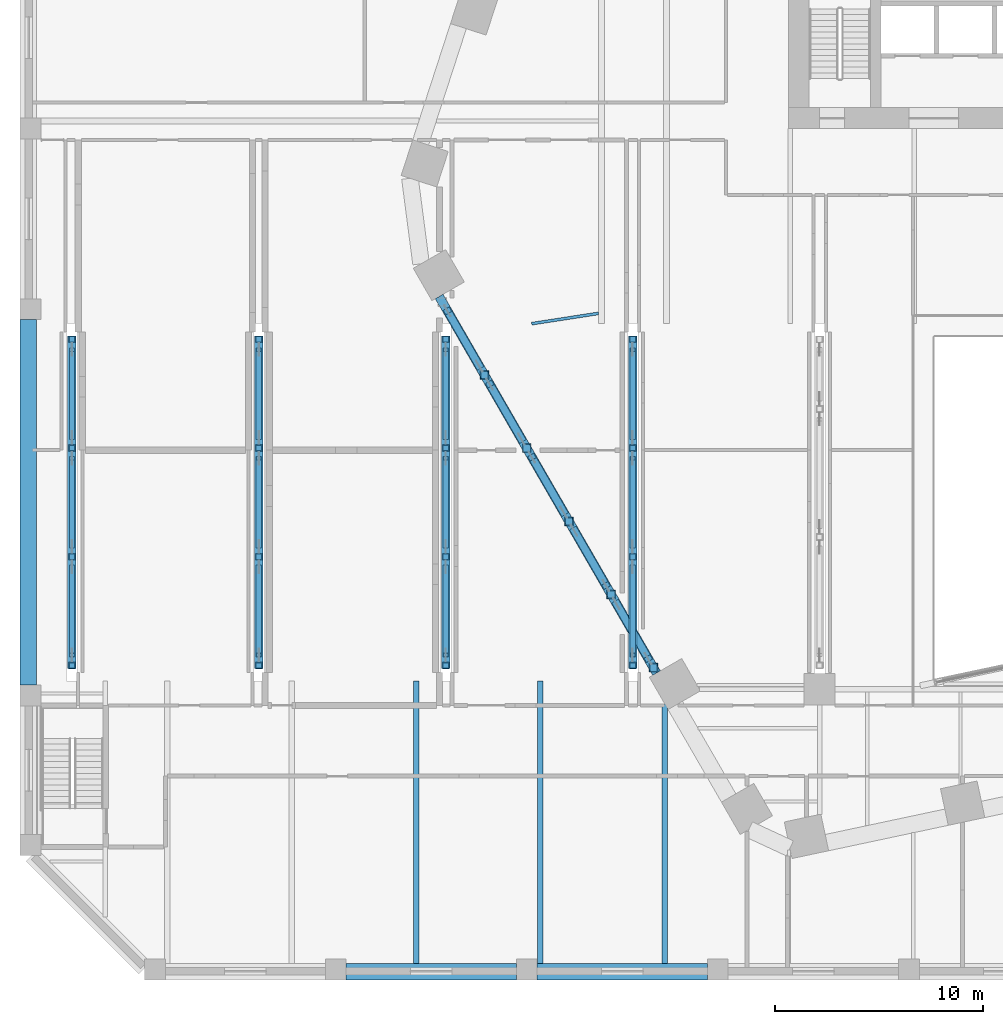
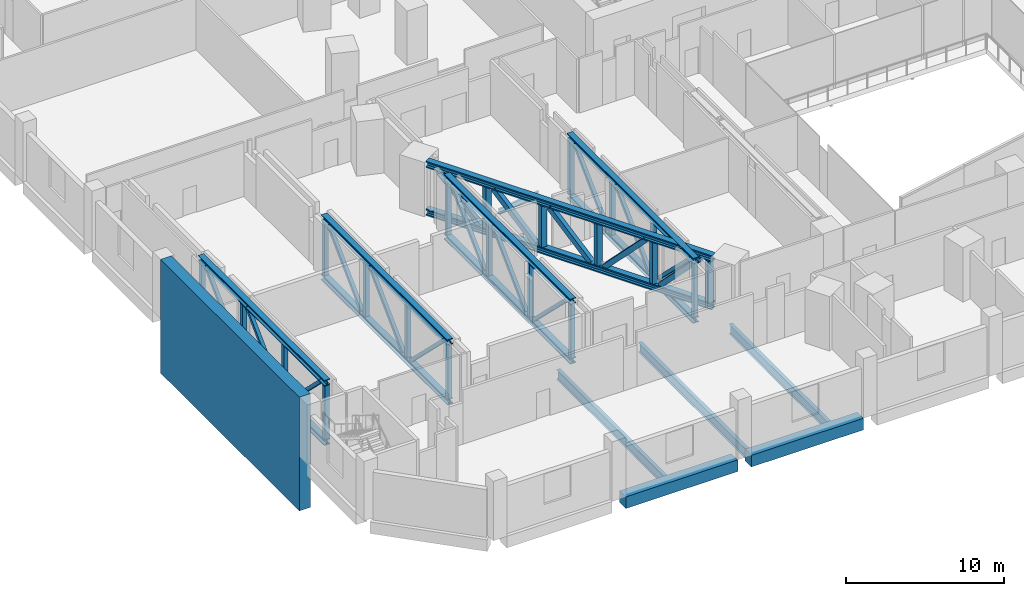
# One storey, part 2 of 32: 48 members, 7 beams.
"""IFC4 building model written with IfcOpenShell, lengths in metres."""

from ifc_helpers import new_model, si_unit, direction, frame, origin, origin_2d, place, context, subcontext, project, spatial, rectangle, hollow_rectangle, i_section, extrude, material, material_profile, profile_set, type_object, element, save


model = new_model("IFC4")

# Units and contexts
model_context = context("Model", 3, precision=1e-05, world=origin(), true_north=direction((0.0, 1.0)))
body_context = subcontext(model_context, "Body", "Model", "MODEL_VIEW")
ifc_project = project(units=[si_unit("LENGTHUNIT", "METRE"), si_unit("AREAUNIT", "SQUARE_METRE"), si_unit("VOLUMEUNIT", "CUBIC_METRE"), si_unit("PLANEANGLEUNIT", "RADIAN"), si_unit("MASSUNIT", "GRAM", prefix="KILO")], contexts=[model_context])

# Site, building, storey
site_placement = place(None, origin())
site = spatial("IfcSite", under=ifc_project, at=site_placement, CompositionType="ELEMENT")
building_placement = place(site_placement, origin())
building = spatial("IfcBuilding", under=site, at=building_placement, Name="Isthmus Gate Tower", CompositionType="ELEMENT")
storey_placement = place(building_placement, frame((0.0, 0.0, 18.0)))
storey = spatial("IfcBuildingStorey", under=building, at=storey_placement, Name="L02", CompositionType="ELEMENT", Elevation=18.0)

# Beams
ifc_material_1 = material(Name="Concrete f'c 70 MPa", Category="concrete")
ifc_material_profile_1 = material_profile(ifc_material_1, rectangle(XDim=0.800048828125, YDim=0.89990234375, at=origin_2d()), Name="RC 800X900")
ifc_profile_set_1 = profile_set([ifc_material_profile_1], Name="Concrete f'c 70 MPa")
beam_type_1 = type_object("IfcBeamType", Name="RC EDGE BEAM 800 X 900", PredefinedType="BEAM", material=ifc_profile_set_1)
beam_1_placement = place(storey_placement, frame((-18.89990234375, -40.60009765625, -0.85009765625), z_axis=(-1.0, 0.0, 0.0), x_axis=(0.0, -1.0, 0.0)))
element("IfcBeam", 1, at=beam_1_placement, inside=storey, type_object=beam_type_1, Name="str-edgebeam-L02-35", PredefinedType="BEAM", context=body_context, shape_type="SweptSolid", body=[
    extrude(rectangle(XDim=0.800048828125, YDim=0.89990234375, at=origin_2d()), origin(), (0.0, 0.0, 1.0), 8.2001953125),
])
beam_2_placement = place(storey_placement, frame((-28.10009765625, -40.60009765625, -0.85009765625), z_axis=(-1.0, 0.0, 0.0), x_axis=(0.0, -1.0, 0.0)))
element("IfcBeam", 2, at=beam_2_placement, inside=storey, type_object=beam_type_1, Name="str-edgebeam-L02-36", PredefinedType="BEAM", context=body_context, shape_type="SweptSolid", body=[
    extrude(rectangle(XDim=0.800048828125, YDim=0.89990234375, at=origin_2d()), origin(), (0.0, 0.0, 1.0), 8.199951171875),
])
ifc_material_2 = material(Name="Concrete f'c 70 MPa", Category="concrete")
ifc_material_profile_2 = material_profile(ifc_material_2, rectangle(XDim=0.800048828125, YDim=8.800048828125, at=origin_2d()), Name="RC 800X8800")
ifc_profile_set_2 = profile_set([ifc_material_profile_2], Name="Concrete f'c 70 MPa")
beam_type_2 = type_object("IfcBeamType", Name="RC PORTAL LINTEL 800 X 8800", PredefinedType="LINTEL", material=ifc_profile_set_2)
beam_3_placement = place(storey_placement, frame((-51.60009765625, -26.800048828125, -0.199951171875), z_axis=(0.0, 1.0, 0.0), x_axis=(-1.0, 0.0, 0.0)))
element("IfcBeam", 3, at=beam_3_placement, inside=storey, type_object=beam_type_2, Name="str-lintel-L02-02", PredefinedType="LINTEL", context=body_context, shape_type="SweptSolid", body=[
    extrude(rectangle(XDim=0.800048828125, YDim=8.800048828125, at=origin_2d()), origin(), (0.0, 0.0, 1.0), 17.60009765625),
])
ifc_material_3 = material(Name="Structural steel ASTM A992 Gr 50", Category="steel")
ifc_material_profile_3 = material_profile(ifc_material_3, i_section(OverallWidth=0.1396484375, OverallDepth=0.4033203125, WebThickness=0.00634765625, FlangeThickness=0.010986328125, at=origin_2d()), Name="W16X31")
ifc_profile_set_3 = profile_set([ifc_material_profile_3], Name="Structural steel ASTM A992 Gr 50")
beam_type_3 = type_object("IfcBeamType", Name="STEEL FLOOR BEAM W16X31", PredefinedType="JOIST", material=ifc_profile_set_3)
beam_4_placement = place(storey_placement, frame((-24.14599609375, -8.903076171875, -0.6015625), z_axis=(-0.98828570762, -0.152615071711, 0.0), x_axis=(0.152615071711, -0.98828570762, 0.0)))
element("IfcBeam", 4, at=beam_4_placement, inside=storey, type_object=beam_type_3, Name="str-beam-L02-18-35", PredefinedType="JOIST", context=body_context, shape_type="SweptSolid", body=[
    extrude(i_section(OverallWidth=0.1396484375, OverallDepth=0.4033203125, WebThickness=0.00634765625, FlangeThickness=0.010986328125, at=origin_2d()), origin(), (0.0, 0.0, 1.0), 3.25537109375),
])
ifc_material_4 = material(Name="Structural steel ASTM A992 Gr 50", Category="steel")
ifc_material_profile_4 = material_profile(ifc_material_4, i_section(OverallWidth=0.263427734375, OverallDepth=0.749267578125, WebThickness=0.0126953125, FlangeThickness=0.015869140625, at=origin_2d()), Name="W30X90")
ifc_profile_set_4 = profile_set([ifc_material_profile_4], Name="Structural steel ASTM A992 Gr 50")
beam_type_4 = type_object("IfcBeamType", Name="STEEL FLOOR BEAM W30X90", PredefinedType="JOIST", material=ifc_profile_set_4)
for number, where, z_axis, x_axis, name in (
    (5, (-32.927978515625, -40.199951171875, -0.774658203125), (0.0, 1.0, 0.0), (-1.0, 0.0, 0.0), "str-beam-L02-19-02"),
    (6, (-26.941162109375, -40.199951171875, -0.774658203125), (0.0, 1.0, 0.0), (-1.0, 0.0, 0.0), "str-beam-L02-19-03"),
):
    element("IfcBeam", number, at=place(storey_placement, frame(where, z_axis=z_axis, x_axis=x_axis)), inside=storey, type_object=beam_type_4, Name=name, PredefinedType="JOIST", context=body_context, shape_type="SweptSolid", body=[
        extrude(i_section(OverallWidth=0.263427734375, OverallDepth=0.749267578125, WebThickness=0.0126953125, FlangeThickness=0.015869140625, at=origin_2d()), origin(), (0.0, 0.0, 1.0), 13.599853515625),
    ])
beam_5_placement = place(storey_placement, frame((-20.9541015625, -40.199951171875, -0.774658203125), z_axis=(0.0, 1.0, 0.0), x_axis=(-1.0, 0.0, 0.0)))
element("IfcBeam", 7, at=beam_5_placement, inside=storey, type_object=beam_type_4, Name="str-beam-L02-19-04", PredefinedType="JOIST", context=body_context, shape_type="SweptSolid", body=[
    extrude(i_section(OverallWidth=0.263427734375, OverallDepth=0.749267578125, WebThickness=0.0126953125, FlangeThickness=0.015869140625, at=origin_2d()), origin(), (0.0, 0.0, 1.0), 12.49365234375),
])

# Members
ifc_material_5 = material(Name="Structural steel ASTM A913 Gr 65", Category="steel")
ifc_material_profile_5 = material_profile(ifc_material_5, i_section(OverallWidth=0.416015625, OverallDepth=0.444580078125, WebThickness=0.039794921875, FlangeThickness=0.0634765625, at=origin_2d()), Name="W14X342")
ifc_profile_set_5 = profile_set([ifc_material_profile_5], Name="Structural steel ASTM A913 Gr 65")
member_type_1 = type_object("IfcMemberType", Name="TRANSFER TRUSS CHORD W14X342", PredefinedType="CHORD", material=ifc_profile_set_5)
for number, where, z_axis, x_axis, name in (
    (8, (-49.5, -26.0, -0.622314453125), (0.0, 1.0, 0.0), (-1.0, 0.0, 0.0), "str-xtruss01-L02-05"),
    (9, (-49.5, -26.0, 3.977783203125), (0.0, 1.0, 0.0), (-1.0, 0.0, 0.0), "str-xtruss01-L02-06"),
    (10, (-40.5, -26.0, -0.622314453125), (0.0, 1.0, 0.0), (-1.0, 0.0, 0.0), "str-xtruss02-L02-05"),
    (11, (-40.5, -26.0, 3.977783203125), (0.0, 1.0, 0.0), (-1.0, 0.0, 0.0), "str-xtruss02-L02-06"),
    (12, (-31.5, -26.0, -0.622314453125), (0.0, 1.0, 0.0), (-1.0, 0.0, 0.0), "str-xtruss03-L02-05"),
    (13, (-31.5, -26.0, 3.977783203125), (0.0, 1.0, 0.0), (-1.0, 0.0, 0.0), "str-xtruss03-L02-06"),
    (14, (-22.5, -26.0, -0.622314453125), (0.0, 1.0, 0.0), (-1.0, 0.0, 0.0), "str-xtruss04-L02-05"),
    (15, (-22.5, -26.0, 3.977783203125), (0.0, 1.0, 0.0), (-1.0, 0.0, 0.0), "str-xtruss04-L02-06"),
):
    element("IfcMember", number, at=place(storey_placement, frame(where, z_axis=z_axis, x_axis=x_axis)), inside=storey, type_object=member_type_1, Name=name, PredefinedType="CHORD", context=body_context, shape_type="SweptSolid", body=[
        extrude(i_section(OverallWidth=0.416015625, OverallDepth=0.444580078125, WebThickness=0.039794921875, FlangeThickness=0.0634765625, at=origin_2d()), origin(), (0.0, 0.0, 1.0), 16.0),
    ])
ifc_material_6 = material(Name="Structural steel ASTM A913 Gr 65", Category="steel")
ifc_material_profile_6 = material_profile(ifc_material_6, i_section(OverallWidth=0.431884765625, OverallDepth=0.49853515625, WebThickness=0.0556640625, FlangeThickness=0.0888671875, at=origin_2d()), Name="W14X500")
ifc_profile_set_6 = profile_set([ifc_material_profile_6], Name="Structural steel ASTM A913 Gr 65")
member_type_2 = type_object("IfcMemberType", Name="TRANSFER TRUSS CHORD W14X500", PredefinedType="CHORD", material=ifc_profile_set_6)
for number, where, z_axis, x_axis, name in (
    (16, (-21.35009765625, -26.220458984375, 0.249267578125), (-0.500004778811, 0.866022644719, 0.0), (-0.866022644719, -0.500004778811, 0.0), "str-ftruss02-L02-07"),
    (17, (-21.35009765625, -26.220458984375, 3.95068359375), (-0.500004778811, 0.866022644719, 0.0), (-0.866022644719, -0.500004778811, 0.0), "str-ftruss02-L02-08"),
):
    element("IfcMember", number, at=place(storey_placement, frame(where, z_axis=z_axis, x_axis=x_axis)), inside=storey, type_object=member_type_2, Name=name, PredefinedType="CHORD", context=body_context, shape_type="SweptSolid", body=[
        extrude(i_section(OverallWidth=0.431884765625, OverallDepth=0.49853515625, WebThickness=0.0556640625, FlangeThickness=0.0888671875, at=origin_2d()), origin(), (0.0, 0.0, 1.0), 20.934326171875),
    ])
ifc_material_7 = material(Name="Structural steel ASTM A500 Gr C", Category="steel")
ifc_material_profile_7 = material_profile(ifc_material_7, hollow_rectangle(XDim=0.25390625, YDim=0.25390625, WallThickness=0.01171875, at=origin_2d()), Name="HSS10X10X1/2")
ifc_profile_set_7 = profile_set([ifc_material_profile_7], Name="Structural steel ASTM A500 Gr C")
member_type_3 = type_object("IfcMemberType", Name="TRANSFER TRUSS DIAGONAL HSS10X10X1/2", PredefinedType="BRACE", material=ifc_profile_set_7)
member_1_placement = place(storey_placement, frame((-49.5, -21.116943359375, -0.39990234375), z_axis=(0.0, -0.713620455815, 0.700532543885), x_axis=(1.0, 0.0, 0.0)))
element("IfcMember", 18, at=member_1_placement, inside=storey, type_object=member_type_3, Name="str-xtruss01-L02-07", PredefinedType="BRACE", context=body_context, shape_type="SweptSolid", body=[
    extrude(hollow_rectangle(XDim=0.25390625, YDim=0.25390625, WallThickness=0.01171875, at=origin_2d()), origin(), (0.0, 0.0, 1.0), 5.931884765625),
])
member_2_placement = place(storey_placement, frame((-49.5, -20.116943359375, -0.39990234375), z_axis=(0.0, 0.713681040622, 0.700470821845), x_axis=(-1.0, 0.0, 0.0)))
element("IfcMember", 19, at=member_2_placement, inside=storey, type_object=member_type_3, Name="str-xtruss01-L02-08", PredefinedType="BRACE", context=body_context, shape_type="SweptSolid", body=[
    extrude(hollow_rectangle(XDim=0.25390625, YDim=0.25390625, WallThickness=0.01171875, at=origin_2d()), origin(), (0.0, 0.0, 1.0), 5.932373046875),
])
for number, where, z_axis, x_axis, name in (
    (20, (-49.5, -14.883056640625, -0.39990234375), (0.0, 0.713620455815, 0.700532543885), (-1.0, 0.0, 0.0), "str-xtruss01-L02-09"),
    (21, (-40.5, -21.116943359375, -0.39990234375), (0.0, -0.713620455815, 0.700532543885), (1.0, 0.0, 0.0), "str-xtruss02-L02-07"),
):
    element("IfcMember", number, at=place(storey_placement, frame(where, z_axis=z_axis, x_axis=x_axis)), inside=storey, type_object=member_type_3, Name=name, PredefinedType="BRACE", context=body_context, shape_type="SweptSolid", body=[
        extrude(hollow_rectangle(XDim=0.25390625, YDim=0.25390625, WallThickness=0.01171875, at=origin_2d()), origin(), (0.0, 0.0, 1.0), 5.931884765625),
    ])
member_3_placement = place(storey_placement, frame((-40.5, -20.116943359375, -0.39990234375), z_axis=(0.0, 0.713681040622, 0.700470821845), x_axis=(-1.0, 0.0, 0.0)))
element("IfcMember", 22, at=member_3_placement, inside=storey, type_object=member_type_3, Name="str-xtruss02-L02-08", PredefinedType="BRACE", context=body_context, shape_type="SweptSolid", body=[
    extrude(hollow_rectangle(XDim=0.25390625, YDim=0.25390625, WallThickness=0.01171875, at=origin_2d()), origin(), (0.0, 0.0, 1.0), 5.932373046875),
])
for number, where, z_axis, x_axis, name in (
    (23, (-40.5, -14.883056640625, -0.39990234375), (0.0, 0.713620455815, 0.700532543885), (-1.0, 0.0, 0.0), "str-xtruss02-L02-09"),
    (24, (-31.5, -21.116943359375, -0.39990234375), (0.0, -0.713620455815, 0.700532543885), (1.0, 0.0, 0.0), "str-xtruss03-L02-07"),
):
    element("IfcMember", number, at=place(storey_placement, frame(where, z_axis=z_axis, x_axis=x_axis)), inside=storey, type_object=member_type_3, Name=name, PredefinedType="BRACE", context=body_context, shape_type="SweptSolid", body=[
        extrude(hollow_rectangle(XDim=0.25390625, YDim=0.25390625, WallThickness=0.01171875, at=origin_2d()), origin(), (0.0, 0.0, 1.0), 5.931884765625),
    ])
member_4_placement = place(storey_placement, frame((-31.5, -20.116943359375, -0.39990234375), z_axis=(0.0, 0.713681040622, 0.700470821845), x_axis=(-1.0, 0.0, 0.0)))
element("IfcMember", 25, at=member_4_placement, inside=storey, type_object=member_type_3, Name="str-xtruss03-L02-08", PredefinedType="BRACE", context=body_context, shape_type="SweptSolid", body=[
    extrude(hollow_rectangle(XDim=0.25390625, YDim=0.25390625, WallThickness=0.01171875, at=origin_2d()), origin(), (0.0, 0.0, 1.0), 5.932373046875),
])
for number, where, z_axis, x_axis, name in (
    (26, (-31.5, -14.883056640625, -0.39990234375), (0.0, 0.713620455815, 0.700532543885), (-1.0, 0.0, 0.0), "str-xtruss03-L02-09"),
    (27, (-22.5, -21.116943359375, -0.39990234375), (0.0, -0.713620455815, 0.700532543885), (1.0, 0.0, 0.0), "str-xtruss04-L02-07"),
):
    element("IfcMember", number, at=place(storey_placement, frame(where, z_axis=z_axis, x_axis=x_axis)), inside=storey, type_object=member_type_3, Name=name, PredefinedType="BRACE", context=body_context, shape_type="SweptSolid", body=[
        extrude(hollow_rectangle(XDim=0.25390625, YDim=0.25390625, WallThickness=0.01171875, at=origin_2d()), origin(), (0.0, 0.0, 1.0), 5.931884765625),
    ])
member_5_placement = place(storey_placement, frame((-22.5, -20.116943359375, -0.39990234375), z_axis=(0.0, 0.713681040622, 0.700470821845), x_axis=(-1.0, 0.0, 0.0)))
element("IfcMember", 28, at=member_5_placement, inside=storey, type_object=member_type_3, Name="str-xtruss04-L02-08", PredefinedType="BRACE", context=body_context, shape_type="SweptSolid", body=[
    extrude(hollow_rectangle(XDim=0.25390625, YDim=0.25390625, WallThickness=0.01171875, at=origin_2d()), origin(), (0.0, 0.0, 1.0), 5.932373046875),
])
member_6_placement = place(storey_placement, frame((-22.5, -14.883056640625, -0.39990234375), z_axis=(0.0, 0.713620455815, 0.700532543885), x_axis=(-1.0, 0.0, 0.0)))
element("IfcMember", 29, at=member_6_placement, inside=storey, type_object=member_type_3, Name="str-xtruss04-L02-09", PredefinedType="BRACE", context=body_context, shape_type="SweptSolid", body=[
    extrude(hollow_rectangle(XDim=0.25390625, YDim=0.25390625, WallThickness=0.01171875, at=origin_2d()), origin(), (0.0, 0.0, 1.0), 5.931884765625),
])
ifc_material_8 = material(Name="Structural steel ASTM A500 Gr C", Category="steel")
ifc_material_profile_8 = material_profile(ifc_material_8, hollow_rectangle(XDim=0.355712890625, YDim=0.355712890625, WallThickness=0.017578125, at=origin_2d()), Name="HSS14X14X3/4")
ifc_profile_set_8 = profile_set([ifc_material_profile_8], Name="Structural steel ASTM A500 Gr C")
member_type_4 = type_object("IfcMemberType", Name="TRANSFER TRUSS DIAGONAL HSS14X14X3/4", PredefinedType="BRACE", material=ifc_profile_set_8)
member_7_placement = place(storey_placement, frame((-23.28369140625, -22.87158203125, 0.49853515625), z_axis=(0.34584097132, -0.598973219987, 0.722236183181), x_axis=(0.866010614898, 0.500025614227, 0.0)))
element("IfcMember", 30, at=member_7_placement, inside=storey, type_object=member_type_4, Name="str-ftruss02-L02-09", PredefinedType="BRACE", context=body_context, shape_type="SweptSolid", body=[
    extrude(hollow_rectangle(XDim=0.355712890625, YDim=0.355712890625, WallThickness=0.017578125, at=origin_2d()), origin(), (0.0, 0.0, 1.0), 4.4345703125),
])
for number, where, z_axis, x_axis, name in (
    (31, (-25.317138671875, -19.349609375, 0.49853515625), (0.345803904891, -0.598949320381, 0.722273750719), (0.866025182435, 0.500000383388, 0.0), "str-ftruss02-L02-10"),
    (32, (-25.817138671875, -18.4833984375, 0.49853515625), (-0.345803904891, 0.598949320381, 0.722273750719), (-0.866025182435, -0.500000383388, 0.0), "str-ftruss02-L02-11"),
):
    element("IfcMember", number, at=place(storey_placement, frame(where, z_axis=z_axis, x_axis=x_axis)), inside=storey, type_object=member_type_4, Name=name, PredefinedType="BRACE", context=body_context, shape_type="SweptSolid", body=[
        extrude(hollow_rectangle(XDim=0.355712890625, YDim=0.355712890625, WallThickness=0.017578125, at=origin_2d()), origin(), (0.0, 0.0, 1.0), 4.434326171875),
    ])
member_8_placement = place(storey_placement, frame((-27.8505859375, -14.96142578125, 0.49853515625), z_axis=(-0.34579250188, 0.59898462354, 0.722249933476), x_axis=(-0.866045081713, -0.499965915279, 0.0)))
element("IfcMember", 33, at=member_8_placement, inside=storey, type_object=member_type_4, Name="str-ftruss02-L02-12", PredefinedType="BRACE", context=body_context, shape_type="SweptSolid", body=[
    extrude(hollow_rectangle(XDim=0.355712890625, YDim=0.355712890625, WallThickness=0.017578125, at=origin_2d()), origin(), (0.0, 0.0, 1.0), 4.4345703125),
])
member_9_placement = place(storey_placement, frame((-29.884033203125, -11.439208984375, 0.49853515625), z_axis=(-0.345803904891, 0.598949320381, 0.722273750719), x_axis=(-0.866025182435, -0.500000383388, 0.0)))
element("IfcMember", 34, at=member_9_placement, inside=storey, type_object=member_type_4, Name="str-ftruss02-L02-13", PredefinedType="BRACE", context=body_context, shape_type="SweptSolid", body=[
    extrude(hollow_rectangle(XDim=0.355712890625, YDim=0.355712890625, WallThickness=0.017578125, at=origin_2d()), origin(), (0.0, 0.0, 1.0), 4.434326171875),
])
ifc_material_9 = material(Name="Structural steel ASTM A500 Gr C", Category="steel")
ifc_material_profile_9 = material_profile(ifc_material_9, hollow_rectangle(XDim=0.3046875, YDim=0.3046875, WallThickness=0.014892578125, at=origin_2d()), Name="HSS12X12X5/8")
ifc_profile_set_9 = profile_set([ifc_material_profile_9], Name="Structural steel ASTM A500 Gr C")
member_type_5 = type_object("IfcMemberType", Name="TRANSFER TRUSS POST HSS12X12X5/8", PredefinedType="POST", material=ifc_profile_set_9)
for number, where, z_axis, x_axis, name in (
    (35, (-49.5, -25.85009765625, -0.39990234375), (0.0, 0.0, 1.0), (1.0, 0.0, 0.0), "str-xtruss01-L02-01"),
    (36, (-49.5, -20.616943359375, -0.39990234375), (0.0, 0.0, 1.0), (1.0, 0.0, 0.0), "str-xtruss01-L02-02"),
    (37, (-49.5, -15.383056640625, -0.39990234375), (0.0, 0.0, 1.0), (1.0, 0.0, 0.0), "str-xtruss01-L02-03"),
    (38, (-49.5, -10.14990234375, -0.39990234375), (0.0, 0.0, 1.0), (1.0, 0.0, 0.0), "str-xtruss01-L02-04"),
    (39, (-40.5, -25.85009765625, -0.39990234375), (0.0, 0.0, 1.0), (1.0, 0.0, 0.0), "str-xtruss02-L02-01"),
    (40, (-40.5, -20.616943359375, -0.39990234375), (0.0, 0.0, 1.0), (1.0, 0.0, 0.0), "str-xtruss02-L02-02"),
    (41, (-40.5, -15.383056640625, -0.39990234375), (0.0, 0.0, 1.0), (1.0, 0.0, 0.0), "str-xtruss02-L02-03"),
    (42, (-40.5, -10.14990234375, -0.39990234375), (0.0, 0.0, 1.0), (1.0, 0.0, 0.0), "str-xtruss02-L02-04"),
    (43, (-31.5, -25.85009765625, -0.39990234375), (0.0, 0.0, 1.0), (1.0, 0.0, 0.0), "str-xtruss03-L02-01"),
    (44, (-31.5, -20.616943359375, -0.39990234375), (0.0, 0.0, 1.0), (1.0, 0.0, 0.0), "str-xtruss03-L02-02"),
    (45, (-31.5, -15.383056640625, -0.39990234375), (0.0, 0.0, 1.0), (1.0, 0.0, 0.0), "str-xtruss03-L02-03"),
    (46, (-31.5, -10.14990234375, -0.39990234375), (0.0, 0.0, 1.0), (1.0, 0.0, 0.0), "str-xtruss03-L02-04"),
    (47, (-22.5, -25.85009765625, -0.39990234375), (0.0, 0.0, 1.0), (1.0, 0.0, 0.0), "str-xtruss04-L02-01"),
    (48, (-22.5, -20.616943359375, -0.39990234375), (0.0, 0.0, 1.0), (1.0, 0.0, 0.0), "str-xtruss04-L02-02"),
    (49, (-22.5, -15.383056640625, -0.39990234375), (0.0, 0.0, 1.0), (1.0, 0.0, 0.0), "str-xtruss04-L02-03"),
    (50, (-22.5, -10.14990234375, -0.39990234375), (0.0, 0.0, 1.0), (1.0, 0.0, 0.0), "str-xtruss04-L02-04"),
):
    element("IfcMember", number, at=place(storey_placement, frame(where, z_axis=z_axis, x_axis=x_axis)), inside=storey, type_object=member_type_5, Name=name, PredefinedType="POST", context=body_context, shape_type="SweptSolid", body=[
        extrude(hollow_rectangle(XDim=0.3046875, YDim=0.3046875, WallThickness=0.014892578125, at=origin_2d()), origin(), (0.0, 0.0, 1.0), 4.155517578125),
    ])
ifc_material_10 = material(Name="Structural steel ASTM A500 Gr C", Category="steel")
ifc_material_profile_10 = material_profile(ifc_material_10, hollow_rectangle(XDim=0.406494140625, YDim=0.406494140625, WallThickness=0.017578125, at=origin_2d()), Name="HSS16X16X3/4")
ifc_profile_set_10 = profile_set([ifc_material_profile_10], Name="Structural steel ASTM A500 Gr C")
member_type_6 = type_object("IfcMemberType", Name="TRANSFER TRUSS POST HSS16X16X3/4", PredefinedType="POST", material=ifc_profile_set_10)
for number, where, z_axis, x_axis, name in (
    (51, (-21.5, -25.960693359375, 0.49853515625), (0.0, 0.0, 1.0), (1.0, 0.0, 0.0), "str-ftruss02-L02-01"),
    (52, (-23.53369140625, -22.438720703125, 0.49853515625), (0.0, 0.0, 1.0), (1.0, 0.0, 0.0), "str-ftruss02-L02-02"),
    (53, (-25.567138671875, -18.91650390625, 0.49853515625), (0.0, 0.0, 1.0), (1.0, 0.0, 0.0), "str-ftruss02-L02-03"),
    (54, (-27.6005859375, -15.394287109375, 0.49853515625), (0.0, 0.0, 1.0), (1.0, 0.0, 0.0), "str-ftruss02-L02-04"),
    (55, (-29.634033203125, -11.872314453125, 0.49853515625), (0.0, 0.0, 1.0), (1.0, 0.0, 0.0), "str-ftruss02-L02-05"),
):
    element("IfcMember", number, at=place(storey_placement, frame(where, z_axis=z_axis, x_axis=x_axis)), inside=storey, type_object=member_type_6, Name=name, PredefinedType="POST", context=body_context, shape_type="SweptSolid", body=[
        extrude(hollow_rectangle(XDim=0.406494140625, YDim=0.406494140625, WallThickness=0.017578125, at=origin_2d()), origin(), (0.0, 0.0, 1.0), 3.202880859375),
    ])

save(model, "model.ifc")
